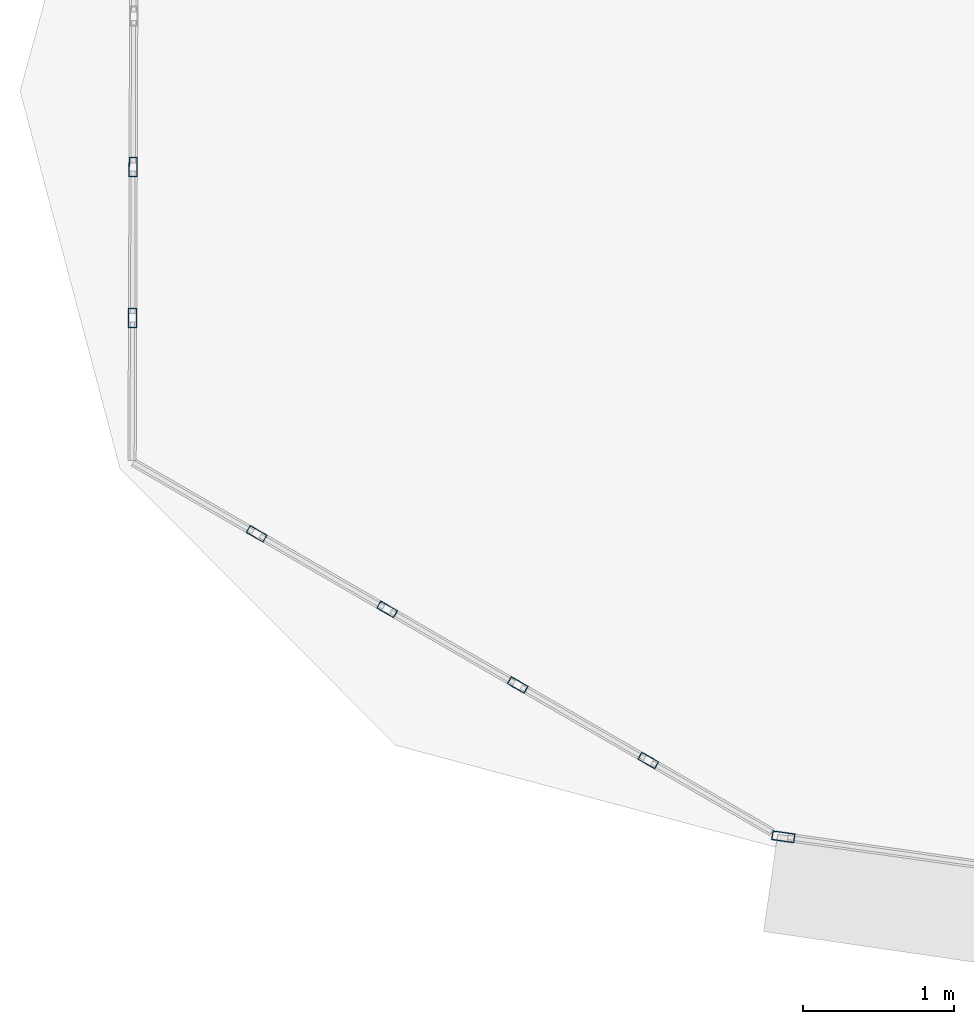
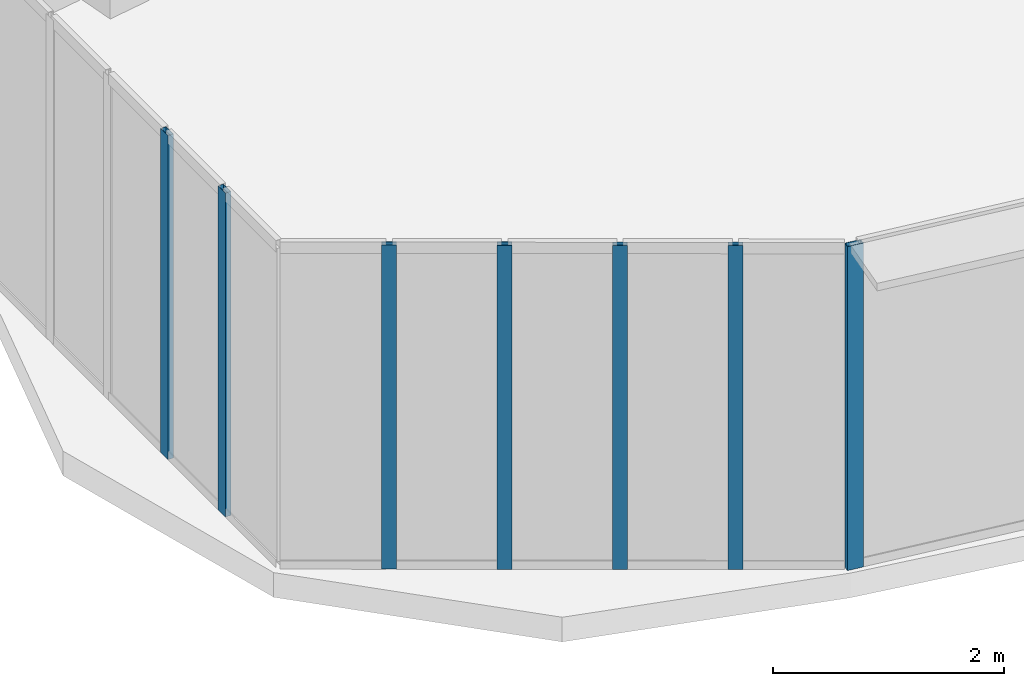
# One storey, part 2 of 42: 7 members, 3 elements without a shape of their own.
"""IFC4 building model written with IfcOpenShell, lengths in metres."""

from ifc_helpers import new_model, si_unit, direction, frame, origin, origin_2d, place, context, subcontext, project, spatial, hollow_rectangle, extrude, source, transform, mapped, material, layer, layer_set, material_profile, profile_set, type_object, element, aggregate, save


model = new_model("IFC4")

# Units and contexts
model_context = context("Model", 3, precision=1e-05, world=origin(), true_north=direction((0.0, 1.0)))
body_context = subcontext(model_context, "Body", "Model", "MODEL_VIEW")
ifc_project = project(units=[si_unit("LENGTHUNIT", "METRE"), si_unit("AREAUNIT", "SQUARE_METRE"), si_unit("VOLUMEUNIT", "CUBIC_METRE"), si_unit("PLANEANGLEUNIT", "RADIAN"), si_unit("MASSUNIT", "GRAM", prefix="KILO"), si_unit("THERMODYNAMICTEMPERATUREUNIT", "KELVIN"), si_unit("POWERUNIT", "WATT")], contexts=[model_context])

# Site, building, storey
site_placement = place(None, origin())
site = spatial("IfcSite", under=ifc_project, at=site_placement, CompositionType="ELEMENT")
building_placement = place(site_placement, origin())
building = spatial("IfcBuilding", under=site, at=building_placement, Name="Yunzhuo Pagoda Commons", CompositionType="ELEMENT")
storey_placement = place(building_placement, frame((0.0, 0.0, 137.18994140625)))
storey = spatial("IfcBuildingStorey", under=building, at=storey_placement, Name="L34", CompositionType="ELEMENT", Elevation=137.18994140625)

# Curtain wall, member
ifc_material = material(Name="Anodized aluminium 6063-T6", Category="aluminium")
ifc_layer_1 = layer(ifc_material, 0.14990234375)
ifc_layer_set_1 = layer_set([ifc_layer_1], Name="Anodized aluminium 6063-T6")
curtain_wall_type_1 = type_object("IfcCurtainWallType", Name="CW-MID Mid-Zone Ribbon Curtain Wall", PredefinedType="NOTDEFINED", material=ifc_layer_set_1)
curtain_wall_1_placement = place(storey_placement, origin())
curtain_wall_1 = element("IfcCurtainWall", 1, at=curtain_wall_1_placement, inside=storey, type_object=curtain_wall_type_1, Name="L34 curtain wall CW-L34-F1B1", PredefinedType="NOTDEFINED")
ifc_material_profile_1 = material_profile(ifc_material, hollow_rectangle(XDim=0.06005859375, YDim=0.14990234375, WallThickness=0.00390625, at=origin_2d()), Name="Anodized aluminium 6063-T6")
ifc_profile_set_1 = profile_set([ifc_material_profile_1], Name="Anodized aluminium 6063-T6")
member_type_1 = type_object("IfcMemberType", Name="CW-MID-M Mullion RHS 150x60x4", PredefinedType="MULLION", material=ifc_profile_set_1)
shared_shape_1 = source(origin(), body_context, "Body", "SweptSolid", [
    extrude(hollow_rectangle(XDim=0.06005859375, YDim=0.14990234375, WallThickness=0.00390625, at=origin_2d()), origin(), (0.0, 0.0, 1.0), 3.420166015625),
])
member_1_placement = place(storey_placement, frame((12.0576171875, 16.254638671875, 0.0), z_axis=(0.0, 0.0, 1.0), x_axis=(0.140026939768, 0.990147694104, 0.0)))
member_1 = element("IfcMember", 2, at=member_1_placement, type_object=member_type_1, Name="CW mullion 1", PredefinedType="MULLION", context=body_context, shape_type="MappedRepresentation", body=[
    mapped(shared_shape_1, transform((0.0, 0.0, 0.0), scale=1.0)),
])
aggregate(curtain_wall_1, [member_1])

# Curtain wall, members
ifc_layer_2 = layer(ifc_material, 0.1298828125)
ifc_layer_set_2 = layer_set([ifc_layer_2], Name="Anodized aluminium 6063-T6")
curtain_wall_type_2 = type_object("IfcCurtainWallType", Name="CW-VTX Rounded Corner Curtain Wall", PredefinedType="NOTDEFINED", material=ifc_layer_set_2)
curtain_wall_2_placement = place(storey_placement, origin())
curtain_wall_2 = element("IfcCurtainWall", 3, at=curtain_wall_2_placement, inside=storey, type_object=curtain_wall_type_2, Name="L34 curtain wall CW-L34-VTX1S1", PredefinedType="NOTDEFINED")
ifc_material_profile_2 = material_profile(ifc_material, hollow_rectangle(XDim=0.054931640625, YDim=0.1298828125, WallThickness=0.00341796875, at=origin_2d()), Name="Anodized aluminium 6063-T6")
ifc_profile_set_2 = profile_set([ifc_material_profile_2], Name="Anodized aluminium 6063-T6")
member_type_2 = type_object("IfcMemberType", Name="CW-VTX-M Mullion RHS 130x55x3.5", PredefinedType="MULLION", material=ifc_profile_set_2)
shared_shape_2 = source(origin(), body_context, "Body", "SweptSolid", [
    extrude(hollow_rectangle(XDim=0.054931640625, YDim=0.1298828125, WallThickness=0.00341796875, at=origin_2d()), origin(), (0.0, 0.0, 1.0), 3.420166015625),
])
member_2_placement = place(storey_placement, frame((7.755859375, 20.686279296875, 0.0), z_axis=(0.0, 0.0, 1.0), x_axis=(0.999993568215, -0.003586576275, 0.0)))
member_2 = element("IfcMember", 4, at=member_2_placement, type_object=member_type_2, Name="CW mullion 4", PredefinedType="MULLION", context=body_context, shape_type="MappedRepresentation", body=[
    mapped(shared_shape_2, transform((0.0, 0.0, 0.0), scale=1.0)),
])
member_3_placement = place(storey_placement, frame((7.752197265625, 19.68798828125, 0.0), z_axis=(0.0, 0.0, 1.0), x_axis=(0.999993568215, -0.003586576275, 0.0)))
member_3 = element("IfcMember", 5, at=member_3_placement, type_object=member_type_2, Name="CW mullion 5", PredefinedType="MULLION", context=body_context, shape_type="MappedRepresentation", body=[
    mapped(shared_shape_2, transform((0.0, 0.0, 0.0), scale=1.0)),
])
aggregate(curtain_wall_2, [member_2, member_3])

curtain_wall_3_placement = place(storey_placement, origin())
curtain_wall_3 = element("IfcCurtainWall", 6, at=curtain_wall_3_placement, inside=storey, type_object=curtain_wall_type_2, Name="L34 curtain wall CW-L34-VTX1S2", PredefinedType="NOTDEFINED")
member_4_placement = place(storey_placement, frame((8.57275390625, 18.25927734375, 0.0), z_axis=(0.0, 0.0, 1.0), x_axis=(0.501037850191, 0.865425370946, 0.0)))
member_4 = element("IfcMember", 7, at=member_4_placement, type_object=member_type_2, Name="CW mullion 2", PredefinedType="MULLION", context=body_context, shape_type="MappedRepresentation", body=[
    mapped(shared_shape_2, transform((0.0, 0.0, 0.0), scale=1.0)),
])
member_5_placement = place(storey_placement, frame((9.4365234375, 17.75927734375, 0.0), z_axis=(0.0, 0.0, 1.0), x_axis=(0.501037850191, 0.865425370946, 0.0)))
member_5 = element("IfcMember", 8, at=member_5_placement, type_object=member_type_2, Name="CW mullion 3", PredefinedType="MULLION", context=body_context, shape_type="MappedRepresentation", body=[
    mapped(shared_shape_2, transform((0.0, 0.0, 0.0), scale=1.0)),
])
member_6_placement = place(storey_placement, frame((10.30029296875, 17.259033203125, 0.0), z_axis=(0.0, 0.0, 1.0), x_axis=(0.501037850191, 0.865425370946, 0.0)))
member_6 = element("IfcMember", 9, at=member_6_placement, type_object=member_type_2, Name="CW mullion 4", PredefinedType="MULLION", context=body_context, shape_type="MappedRepresentation", body=[
    mapped(shared_shape_2, transform((0.0, 0.0, 0.0), scale=1.0)),
])
member_7_placement = place(storey_placement, frame((11.164306640625, 16.759033203125, 0.0), z_axis=(0.0, 0.0, 1.0), x_axis=(0.501037850191, 0.865425370946, 0.0)))
member_7 = element("IfcMember", 10, at=member_7_placement, type_object=member_type_2, Name="CW mullion 5", PredefinedType="MULLION", context=body_context, shape_type="MappedRepresentation", body=[
    mapped(shared_shape_2, transform((0.0, 0.0, 0.0), scale=1.0)),
])
aggregate(curtain_wall_3, [member_4, member_5, member_6, member_7])

save(model, "model.ifc")
